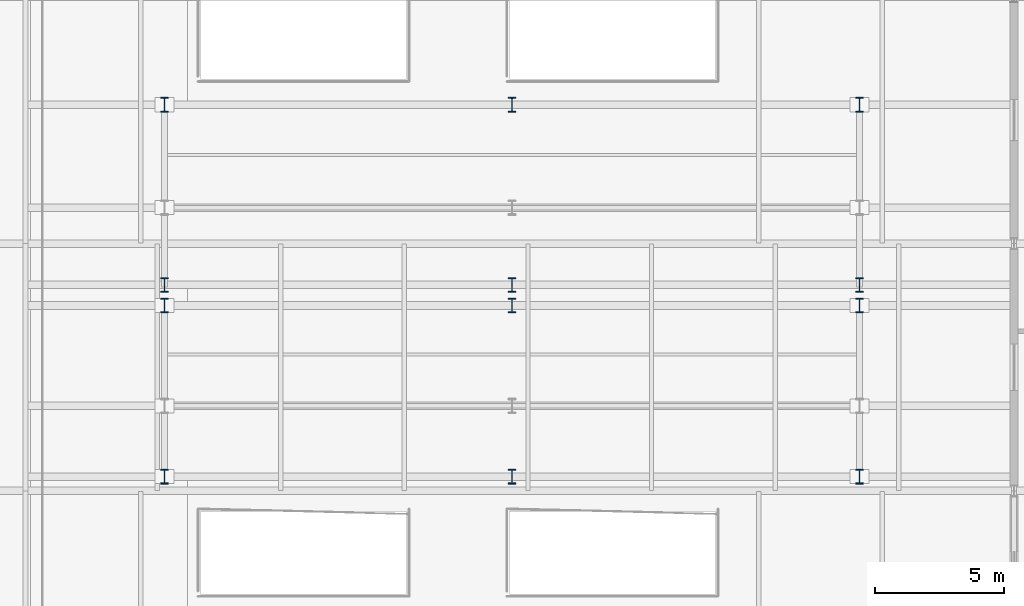
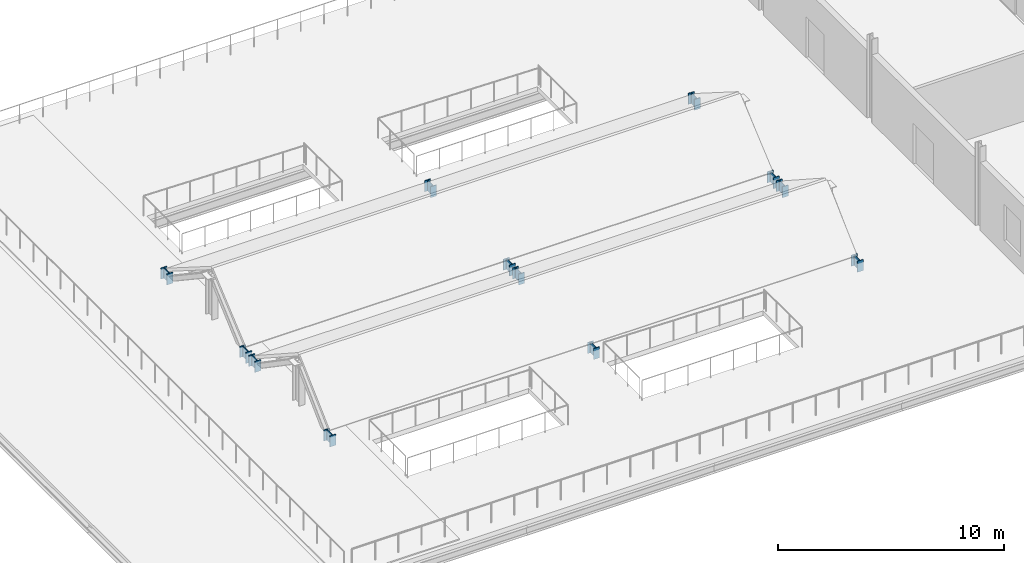
# One storey, part 59 of 101: 12 members.
"""IFC4 building model written with IfcOpenShell, lengths in metres."""

import ifcopenshell
import ifcopenshell.guid

model = None  # the IFC model being written
_history = None  # IfcOwnerHistory: only IFC2X3 demands one
_inside = {}  # id of a spatial element -> (the spatial element, [elements in it])
_under = {}  # id of a project, library or spatial element -> (it, [spatial elements below it])
_declared = {}  # id of a project -> (the project, [libraries it declares])
_typed = {}  # id of a type object -> (the type object, [elements of that type])
_made_of = {}  # id of a material, layer set ... -> (it, [elements and type objects made of it])


def new_model(schema):
    """Start an empty IFC model of exactly this schema.

    Asked for "IFC4X3", IfcOpenShell would pick the latest addendum, in which some entities
    have other attributes; the version numbers below select the first issue.
    IFC2X3 requires an IfcOwnerHistory on every rooted entity: one is made here for all.
    """
    global model, _history
    if schema == "IFC4X3":
        model = ifcopenshell.file(schema_version=(4, 3, 0, 0))
    else:
        model = ifcopenshell.file(schema=schema)
    _inside.clear()
    _under.clear()
    _declared.clear()
    _typed.clear()
    _made_of.clear()
    _history = None
    if model.schema == "IFC2X3":
        org = make("IfcOrganization", Name="unknown")
        user = make(
            "IfcPersonAndOrganization",
            ThePerson=make("IfcPerson", FamilyName="unknown"),
            TheOrganization=org,
        )
        app = make(
            "IfcApplication",
            ApplicationDeveloper=org,
            Version="unknown",
            ApplicationFullName="unknown",
            ApplicationIdentifier="unknown",
        )
        _history = make(
            "IfcOwnerHistory",
            OwningUser=user,
            OwningApplication=app,
            ChangeAction="ADDED",
            CreationDate=0,
        )
    return model


def make(cls, **values):
    """One entity of the class cls with the attributes given. An attribute that is None is left unset."""
    return model.create_entity(
        cls, **{name: value for name, value in values.items() if value is not None}
    )


def rooted(cls, **values):
    """An entity with a GlobalId (a new one), such as an element, a storey or a relation."""
    return make(cls, GlobalId=ifcopenshell.guid.new(), OwnerHistory=_history, **values)


def si_unit(unit_type, name, prefix=None):
    """IfcSIUnit, for example si_unit("LENGTHUNIT", "METRE", prefix="MILLI")."""
    return make("IfcSIUnit", UnitType=unit_type, Prefix=prefix, Name=name)


def assignment(units):
    """IfcUnitAssignment: the units of a project."""
    return None if units is None else make("IfcUnitAssignment", Units=units)


def point(xyz):
    """IfcCartesianPoint."""
    return None if xyz is None else make("IfcCartesianPoint", Coordinates=xyz)


def direction(xyz):
    """IfcDirection."""
    return None if xyz is None else make("IfcDirection", DirectionRatios=xyz)


def frame(location, z_axis=None, x_axis=None):
    """IfcAxis2Placement3D, a coordinate frame: its origin and axes. An axis left out is left unset."""
    return make(
        "IfcAxis2Placement3D",
        Location=point(location),
        Axis=direction(z_axis),
        RefDirection=direction(x_axis),
    )


def frame_2d(location, x_axis=None):
    """IfcAxis2Placement2D, a coordinate frame in the plane: its origin and x axis."""
    return make(
        "IfcAxis2Placement2D", Location=point(location), RefDirection=direction(x_axis)
    )


def origin():
    """The frame at (0, 0, 0) with its axes left unset."""
    return frame((0.0, 0.0, 0.0))


def origin_2d():
    """The frame at (0, 0) in the plane with its x axis left unset."""
    return frame_2d((0.0, 0.0))


def place(relative_to, where):
    """IfcLocalPlacement: puts the frame where relative to a parent placement (None: the world)."""
    return make(
        "IfcLocalPlacement", PlacementRelTo=relative_to, RelativePlacement=where
    )


def context(
    kind, dimensions, precision=None, world=None, true_north=None, identifier=None
):
    """IfcGeometricRepresentationContext, for example the 3D "Model" context."""
    return make(
        "IfcGeometricRepresentationContext",
        ContextIdentifier=identifier,
        ContextType=kind,
        CoordinateSpaceDimension=dimensions,
        Precision=precision,
        WorldCoordinateSystem=world,
        TrueNorth=true_north,
    )


def subcontext(parent, identifier, kind, view, scale=None):
    """IfcGeometricRepresentationSubContext, for example "Body" below "Model"."""
    return make(
        "IfcGeometricRepresentationSubContext",
        ContextIdentifier=identifier,
        ContextType=kind,
        ParentContext=parent,
        TargetScale=scale,
        TargetView=view,
    )


def project(units=None, contexts=None):
    """IfcProject with its units and contexts."""
    return rooted(
        "IfcProject",
        Name="project",
        RepresentationContexts=contexts,
        UnitsInContext=assignment(units),
    )


def spatial(cls, under=None, at=None, **own):
    """A site, building, storey or space (cls), placed at a placement, below another one or the project."""
    s = rooted(cls, ObjectPlacement=at, **own)
    if under is not None:
        _under.setdefault(under.id(), (under, []))[1].append(s)
    return s


def profile(cls, at=None, kind="AREA", **sizes):
    """A parametric profile (cls). Its sizes go by their IFC names, for example OverallWidth=200.0."""
    return make(cls, ProfileType=kind, Position=at, **sizes)


def i_section(**sizes):
    """IfcIShapeProfileDef."""
    return profile("IfcIShapeProfileDef", **sizes)


def extrude(swept, where, along, depth):
    """IfcExtrudedAreaSolid: the profile swept, set in the frame where, extruded along a direction by depth."""
    return make(
        "IfcExtrudedAreaSolid",
        SweptArea=swept,
        Position=where,
        ExtrudedDirection=direction(along),
        Depth=depth,
    )


def shape(context_of_items, identifier, shape_type, items):
    """IfcShapeRepresentation: the items that make up one representation, for example the "Body"."""
    return make(
        "IfcShapeRepresentation",
        ContextOfItems=context_of_items,
        RepresentationIdentifier=identifier,
        RepresentationType=shape_type,
        Items=items,
    )


def material(Name=None, Category=None):
    """IfcMaterial."""
    return make("IfcMaterial", Name=Name, Category=Category)


def material_profile(
    of_material, cross_section, Name=None, Category=None, Priority=None
):
    """IfcMaterialProfile: a cross section and its material."""
    return make(
        "IfcMaterialProfile",
        Name=Name,
        Material=of_material,
        Profile=cross_section,
        Priority=Priority,
        Category=Category,
    )


def profile_set(profiles, Name=None, composite=None):
    """IfcMaterialProfileSet."""
    return make(
        "IfcMaterialProfileSet",
        Name=Name,
        MaterialProfiles=profiles,
        CompositeProfile=composite,
    )


def made_of(thing, what):
    """Note that an element or type object is made of a material, layer set ...; save() writes the relation."""
    if what is not None:
        _made_of.setdefault(what.id(), (what, []))[1].append(thing)
    return thing


def type_object(cls, material=None, **own):
    """A type object (cls), such as IfcWallType, which elements share."""
    return made_of(rooted(cls, **own), material)


def element(
    cls,
    number,
    at=None,
    inside=None,
    cuts=None,
    type_object=None,
    material=None,
    context=None,
    identifier="Body",
    shape_type=None,
    held_by="IfcProductDefinitionShape",
    body=None,
    shapes=None,
    **own,
):
    """One element of the class cls, such as IfcWall. Its Tag is "e" and its number.

    at: its placement. inside: the storey or other place that contains it. cuts: it is an
    opening in that element (IfcRelVoidsElement). A single representation is given by context,
    identifier, shape_type and body (its items); several are given by shapes. held_by: the class
    of the entity that holds the representations. save() writes the other relations.
    """
    e = rooted(cls, Tag="e%d" % number, ObjectPlacement=at, **own)
    if body is not None:
        shapes = [shape(context, identifier, shape_type, body)]
    if shapes is not None:
        e.Representation = make(held_by, Representations=shapes)
    if inside is not None:
        _inside.setdefault(inside.id(), (inside, []))[1].append(e)
    if cuts is not None:
        rooted(
            "IfcRelVoidsElement", RelatingBuildingElement=cuts, RelatedOpeningElement=e
        )
    if type_object is not None:
        _typed.setdefault(type_object.id(), (type_object, []))[1].append(e)
    return made_of(e, material)


def aggregate(whole, parts):
    """IfcRelAggregates: a whole, such as a stair, and the parts it consists of."""
    return rooted("IfcRelAggregates", RelatingObject=whole, RelatedObjects=parts)


def save(model, path):
    """Write the relations noted so far, then the file.

    IfcRelAggregates (storeys below a building ...), IfcRelContainedInSpatialStructure (elements
    in a storey), IfcRelDefinesByType, IfcRelAssociatesMaterial and IfcRelDeclares: one each for
    every whole, place, type object, material and project.
    """
    for whole, parts in _under.values():
        aggregate(whole, parts)
    for where, things in _inside.values():
        rooted(
            "IfcRelContainedInSpatialStructure",
            RelatedElements=things,
            RelatingStructure=where,
        )
    for kind, things in _typed.values():
        rooted("IfcRelDefinesByType", RelatedObjects=things, RelatingType=kind)
    for what, things in _made_of.values():
        rooted("IfcRelAssociatesMaterial", RelatedObjects=things, RelatingMaterial=what)
    for by, libraries in _declared.values():
        rooted("IfcRelDeclares", RelatingContext=by, RelatedDefinitions=libraries)
    model.write(path)


model = new_model("IFC4")

# Units and contexts
model_context = context("Model", 3, precision=1e-05, world=origin(), true_north=direction((0.0, 1.0)))
body_context = subcontext(model_context, "Body", "Model", "MODEL_VIEW")
ifc_project = project(units=[si_unit("LENGTHUNIT", "METRE"), si_unit("AREAUNIT", "SQUARE_METRE"), si_unit("VOLUMEUNIT", "CUBIC_METRE"), si_unit("PLANEANGLEUNIT", "RADIAN"), si_unit("MASSUNIT", "GRAM", prefix="KILO")], contexts=[model_context])

# Site, building, storey
site_placement = place(None, origin())
site = spatial("IfcSite", under=ifc_project, at=site_placement, CompositionType="ELEMENT")
building_placement = place(site_placement, origin())
building = spatial("IfcBuilding", under=site, at=building_placement, Name="Zevrakil Square Congress Hotel", CompositionType="ELEMENT")
storey_placement = place(building_placement, frame((0.0, 0.0, 5.39990234375)))
storey = spatial("IfcBuildingStorey", under=building, at=storey_placement, Name="L02", CompositionType="ELEMENT", Elevation=5.39990234375)

# Members
ifc_material = material(Name="Steel S355", Category="steel")
ifc_material_profile = material_profile(ifc_material, i_section(OverallWidth=0.305908203125, OverallDepth=0.572021484375, WebThickness=0.02099609375, FlangeThickness=0.0400390625, FilletRadius=0.027099609375, at=origin_2d()), Name="HEM 550")
ifc_profile_set = profile_set([ifc_material_profile], Name="Steel S355")
member_type = type_object("IfcMemberType", Name="MEM-CHORD-HEM550", PredefinedType="CHORD", material=ifc_profile_set)
for number, where, z_axis, x_axis, name in (
    (1, (12.60009765625, 84.550048828125, -0.469970703125), (0.0, 0.0, 1.0), (1.0, 0.0, 0.0), "Spa monitor eaves stub post SPR-E01"),
    (2, (26.10009765625, 84.550048828125, -0.469970703125), (0.0, 0.0, 1.0), (1.0, 0.0, 0.0), "Spa monitor eaves stub post SPR-E02"),
    (3, (39.60009765625, 84.550048828125, -0.469970703125), (0.0, 0.0, 1.0), (1.0, 0.0, 0.0), "Spa monitor eaves stub post SPR-E03"),
    (4, (12.60009765625, 91.199951171875, -0.469970703125), (0.0, 0.0, 1.0), (1.0, 0.0, 0.0), "Spa monitor eaves stub post SPR-E04"),
    (5, (26.10009765625, 91.199951171875, -0.469970703125), (0.0, 0.0, 1.0), (1.0, 0.0, 0.0), "Spa monitor eaves stub post SPR-E05"),
    (6, (39.60009765625, 91.199951171875, -0.469970703125), (0.0, 0.0, 1.0), (1.0, 0.0, 0.0), "Spa monitor eaves stub post SPR-E06"),
    (7, (12.60009765625, 92.0, -0.469970703125), (0.0, 0.0, 1.0), (1.0, 0.0, 0.0), "Spa monitor eaves stub post SPR-E07"),
    (8, (26.10009765625, 92.0, -0.469970703125), (0.0, 0.0, 1.0), (1.0, 0.0, 0.0), "Spa monitor eaves stub post SPR-E08"),
    (9, (39.60009765625, 92.0, -0.469970703125), (0.0, 0.0, 1.0), (1.0, 0.0, 0.0), "Spa monitor eaves stub post SPR-E09"),
    (10, (12.60009765625, 99.0, -0.469970703125), (0.0, 0.0, 1.0), (1.0, 0.0, 0.0), "Spa monitor eaves stub post SPR-E10"),
    (11, (26.10009765625, 99.0, -0.469970703125), (0.0, 0.0, 1.0), (1.0, 0.0, 0.0), "Spa monitor eaves stub post SPR-E11"),
    (12, (39.60009765625, 99.0, -0.469970703125), (0.0, 0.0, 1.0), (1.0, 0.0, 0.0), "Spa monitor eaves stub post SPR-E12"),
):
    element("IfcMember", number, at=place(storey_placement, frame(where, z_axis=z_axis, x_axis=x_axis)), inside=storey, type_object=member_type, Name=name, PredefinedType="CHORD", context=body_context, shape_type="SweptSolid", body=[
        extrude(i_section(OverallWidth=0.305908203125, OverallDepth=0.572021484375, WebThickness=0.02099609375, FlangeThickness=0.0400390625, FilletRadius=0.027099609375, at=origin_2d()), origin(), (0.0, 0.0, 1.0), 0.590087890625),
    ])

save(model, "model.ifc")
